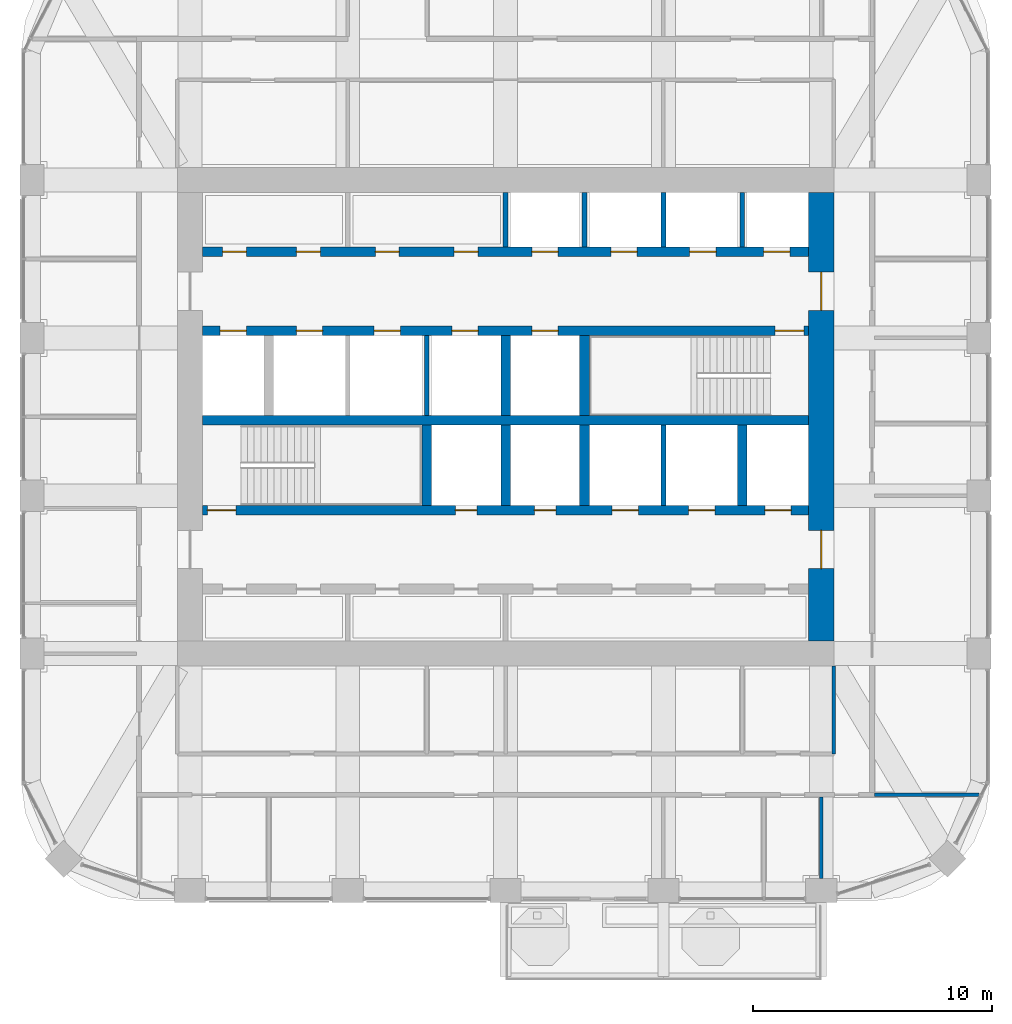
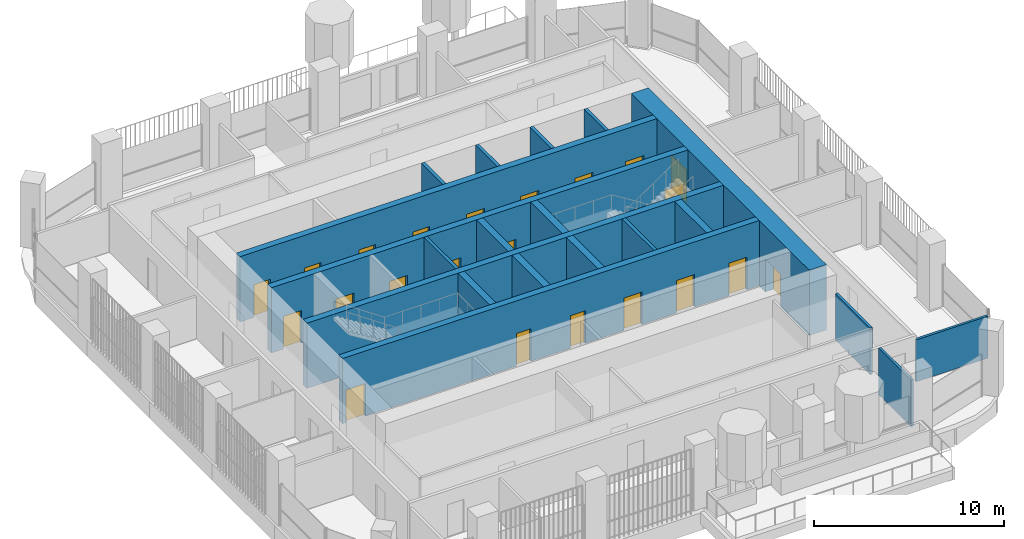
# One storey, part 15 of 20: 22 doors, 20 walls, 22 openings.
"""IFC4 building model written with IfcOpenShell, lengths in metres."""

from ifc_helpers import new_model, si_unit, direction, frame, frame_2d, origin, place, context, subcontext, project, spatial, rectangle, extrude, material, layer, layer_set, type_object, element, fill, save


model = new_model("IFC4")

# Units and contexts
model_context = context("Model", 3, precision=1e-05, world=origin(), true_north=direction((0.0, 1.0)))
body_context = subcontext(model_context, "Body", "Model", "MODEL_VIEW")
ifc_project = project(units=[si_unit("LENGTHUNIT", "METRE"), si_unit("AREAUNIT", "SQUARE_METRE"), si_unit("VOLUMEUNIT", "CUBIC_METRE"), si_unit("PLANEANGLEUNIT", "RADIAN"), si_unit("MASSUNIT", "GRAM", prefix="KILO")], contexts=[model_context])

# Site, building, storey
site_placement = place(None, origin())
site = spatial("IfcSite", under=ifc_project, at=site_placement, CompositionType="ELEMENT")
building_placement = place(site_placement, origin())
building = spatial("IfcBuilding", under=site, at=building_placement, Name="Cobogo Forest Laboratory Tower", CompositionType="ELEMENT")
storey_placement = place(building_placement, frame((0.0, 0.0, 233.39990234375)))
storey = spatial("IfcBuildingStorey", under=building, at=storey_placement, Name="L53", CompositionType="ELEMENT", Elevation=233.39990234375)

# Wall, openings, doors
ifc_material_1 = material(Name="Concrete HA-50 (C50/60)", Category="concrete")
ifc_layer_1 = layer(ifc_material_1, 0.39990234375)
ifc_layer_set_1 = layer_set([ifc_layer_1], Name="CI400 core inner wall 400")
wall_type_1 = type_object("IfcWallType", Name="CI400 core inner wall 400", PredefinedType="SHEAR", material=ifc_layer_set_1)
wall_1_placement = place(storey_placement, frame((13.72509765625, 19.199951171875, 0.0), z_axis=(0.0, 0.0, 1.0), x_axis=(1.0, 0.0, 0.0)))
wall_1 = element("IfcWall", 1, at=wall_1_placement, inside=storey, type_object=wall_type_1, Name="Core wall CI-19.2 L53", PredefinedType="SHEAR", context=body_context, shape_type="SweptSolid", body=[
    extrude(rectangle(XDim=25.349853515625, YDim=0.39990234375, at=frame_2d((12.6748046875, 0.0))), origin(), (0.0, 0.0, 1.0), 4.2001953125),
])
opening_1_placement = place(wall_1_placement, frame((10.574951171875, 0.0, 0.0)))
opening_1 = element("IfcOpeningElement", 2, at=opening_1_placement, cuts=wall_1, Name="Opening L53-D26", PredefinedType="OPENING", context=body_context, shape_type="SweptSolid", body=[
    extrude(rectangle(XDim=0.89990234375, YDim=2.10009765625, at=frame_2d((0.449951171875, 1.050048828125))), frame((0.0, 0.2099609375, 0.0), z_axis=(0.0, -1.0, 0.0), x_axis=(1.0, 0.0, 0.0)), (0.0, 0.0, 1.0), 0.419921875),
])
opening_2_placement = place(wall_1_placement, frame((13.875, 0.0, 0.0)))
opening_2 = element("IfcOpeningElement", 3, at=opening_2_placement, cuts=wall_1, Name="Opening L53-D27", PredefinedType="OPENING", context=body_context, shape_type="SweptSolid", body=[
    extrude(rectangle(XDim=0.89990234375, YDim=2.10009765625, at=frame_2d((0.449951171875, 1.050048828125))), frame((0.0, 0.2099609375, 0.0), z_axis=(0.0, -1.0, 0.0), x_axis=(1.0, 0.0, 0.0)), (0.0, 0.0, 1.0), 0.419921875),
])
opening_3_placement = place(wall_1_placement, frame((0.199951171875, 0.0, 0.0)))
opening_3 = element("IfcOpeningElement", 4, at=opening_3_placement, cuts=wall_1, Name="Opening L53-D25", PredefinedType="OPENING", context=body_context, shape_type="SweptSolid", body=[
    extrude(rectangle(XDim=1.199951171875, YDim=2.10009765625, at=frame_2d((0.60009765625, 1.050048828125))), frame((0.0, 0.2099609375, 0.0), z_axis=(0.0, -1.0, 0.0), x_axis=(1.0, 0.0, 0.0)), (0.0, 0.0, 1.0), 0.419921875),
])
opening_4_placement = place(wall_1_placement, frame((23.512451171875, 0.0, 0.0)))
opening_4 = element("IfcOpeningElement", 5, at=opening_4_placement, cuts=wall_1, Name="Opening L53-LD-FL2", PredefinedType="OPENING", context=body_context, shape_type="SweptSolid", body=[
    extrude(rectangle(XDim=1.10009765625, YDim=2.10009765625, at=frame_2d((0.550048828125, 1.050048828125))), frame((0.0, 0.2099609375, 0.0), z_axis=(0.0, -1.0, 0.0), x_axis=(1.0, 0.0, 0.0)), (0.0, 0.0, 1.0), 0.419921875),
])
opening_5_placement = place(wall_1_placement, frame((17.125, 0.0, 0.0)))
opening_5 = element("IfcOpeningElement", 6, at=opening_5_placement, cuts=wall_1, Name="Opening L53-LD-LS1", PredefinedType="OPENING", context=body_context, shape_type="SweptSolid", body=[
    extrude(rectangle(XDim=1.10009765625, YDim=2.10009765625, at=frame_2d((0.550048828125, 1.050048828125))), frame((0.0, 0.2099609375, 0.0), z_axis=(0.0, -1.0, 0.0), x_axis=(1.0, 0.0, 0.0)), (0.0, 0.0, 1.0), 0.419921875),
])
opening_6_placement = place(wall_1_placement, frame((20.324951171875, 0.0, 0.0)))
opening_6 = element("IfcOpeningElement", 7, at=opening_6_placement, cuts=wall_1, Name="Opening L53-LD-LS2", PredefinedType="OPENING", context=body_context, shape_type="SweptSolid", body=[
    extrude(rectangle(XDim=1.10009765625, YDim=2.10009765625, at=frame_2d((0.550048828125, 1.050048828125))), frame((0.0, 0.2099609375, 0.0), z_axis=(0.0, -1.0, 0.0), x_axis=(1.0, 0.0, 0.0)), (0.0, 0.0, 1.0), 0.419921875),
])
ifc_material_2 = material(Name="Steel fire door", Category="steel")
door_type_1 = type_object("IfcDoorType", Name="DS1 protected stair door 1200 EI2 60", OperationType="SINGLE_SWING_LEFT", PredefinedType="DOOR", material=ifc_material_2)
door_1_placement = place(opening_3_placement, origin())
door_1 = element("IfcDoor", 8, at=door_1_placement, inside=storey, type_object=door_type_1, Name="Door L53-ST1", OperationType="SINGLE_SWING_LEFT", OverallHeight=2.10009765625, OverallWidth=1.199951171875, PredefinedType="DOOR", context=body_context, shape_type="SweptSolid", body=[
    extrude(rectangle(XDim=1.199951171875, YDim=2.10009765625, at=frame_2d((0.60009765625, 1.050048828125))), frame((0.0, 0.02490234375, 0.0), z_axis=(0.0, -1.0, 0.0), x_axis=(1.0, 0.0, 0.0)), (0.0, 0.0, 1.0), 0.050048828125),
])
fill(opening_3, door_1)
door_type_2 = type_object("IfcDoorType", Name="FD4 riser access door 900 EI2 60", OperationType="SINGLE_SWING_LEFT", PredefinedType="DOOR", material=ifc_material_2)
door_2_placement = place(opening_1_placement, origin())
door_2 = element("IfcDoor", 9, at=door_2_placement, inside=storey, type_object=door_type_2, Name="Door L53-R1", OperationType="SINGLE_SWING_LEFT", OverallHeight=2.10009765625, OverallWidth=0.89990234375, PredefinedType="DOOR", context=body_context, shape_type="SweptSolid", body=[
    extrude(rectangle(XDim=0.89990234375, YDim=2.10009765625, at=frame_2d((0.449951171875, 1.050048828125))), frame((0.0, 0.02490234375, 0.0), z_axis=(0.0, -1.0, 0.0), x_axis=(1.0, 0.0, 0.0)), (0.0, 0.0, 1.0), 0.050048828125),
])
fill(opening_1, door_2)
door_3_placement = place(opening_2_placement, origin())
door_3 = element("IfcDoor", 10, at=door_3_placement, inside=storey, type_object=door_type_2, Name="Door L53-R2", OperationType="SINGLE_SWING_RIGHT", OverallHeight=2.10009765625, OverallWidth=0.89990234375, PredefinedType="DOOR", context=body_context, shape_type="SweptSolid", body=[
    extrude(rectangle(XDim=0.89990234375, YDim=2.10009765625, at=frame_2d((0.449951171875, 1.050048828125))), frame((0.0, 0.02490234375, 0.0), z_axis=(0.0, -1.0, 0.0), x_axis=(1.0, 0.0, 0.0)), (0.0, 0.0, 1.0), 0.050048828125),
])
fill(opening_2, door_3)
ifc_material_3 = material(Name="Stainless steel lift door", Category="steel")
door_type_3 = type_object("IfcDoorType", Name="LD lift landing door 1100", OperationType="DOUBLE_DOOR_SLIDING", PredefinedType="DOOR", material=ifc_material_3)
door_4_placement = place(opening_4_placement, origin())
door_4 = element("IfcDoor", 11, at=door_4_placement, inside=storey, type_object=door_type_3, Name="Lift landing door FL2 L53", OperationType="DOUBLE_DOOR_SLIDING", OverallHeight=2.10009765625, OverallWidth=1.10009765625, PredefinedType="DOOR", context=body_context, shape_type="SweptSolid", body=[
    extrude(rectangle(XDim=1.10009765625, YDim=2.10009765625, at=frame_2d((0.550048828125, 1.050048828125))), frame((0.0, 0.02490234375, 0.0), z_axis=(0.0, -1.0, 0.0), x_axis=(1.0, 0.0, 0.0)), (0.0, 0.0, 1.0), 0.050048828125),
])
fill(opening_4, door_4)
door_5_placement = place(opening_5_placement, origin())
door_5 = element("IfcDoor", 12, at=door_5_placement, inside=storey, type_object=door_type_3, Name="Lift landing door LS1 L53", OperationType="DOUBLE_DOOR_SLIDING", OverallHeight=2.10009765625, OverallWidth=1.10009765625, PredefinedType="DOOR", context=body_context, shape_type="SweptSolid", body=[
    extrude(rectangle(XDim=1.10009765625, YDim=2.10009765625, at=frame_2d((0.550048828125, 1.050048828125))), frame((0.0, 0.02490234375, 0.0), z_axis=(0.0, -1.0, 0.0), x_axis=(1.0, 0.0, 0.0)), (0.0, 0.0, 1.0), 0.050048828125),
])
fill(opening_5, door_5)
door_6_placement = place(opening_6_placement, origin())
door_6 = element("IfcDoor", 13, at=door_6_placement, inside=storey, type_object=door_type_3, Name="Lift landing door LS2 L53", OperationType="DOUBLE_DOOR_SLIDING", OverallHeight=2.10009765625, OverallWidth=1.10009765625, PredefinedType="DOOR", context=body_context, shape_type="SweptSolid", body=[
    extrude(rectangle(XDim=1.10009765625, YDim=2.10009765625, at=frame_2d((0.550048828125, 1.050048828125))), frame((0.0, 0.02490234375, 0.0), z_axis=(0.0, -1.0, 0.0), x_axis=(1.0, 0.0, 0.0)), (0.0, 0.0, 1.0), 0.050048828125),
])
fill(opening_6, door_6)

# Wall
wall_2_placement = place(storey_placement, frame((13.72509765625, 22.949951171875, 0.0), z_axis=(0.0, 0.0, 1.0), x_axis=(1.0, 0.0, 0.0)))
element("IfcWall", 14, at=wall_2_placement, inside=storey, type_object=wall_type_1, Name="Core wall CI-22.95 L53", PredefinedType="SHEAR", context=body_context, shape_type="SweptSolid", body=[
    extrude(rectangle(XDim=25.349853515625, YDim=0.39990234375, at=frame_2d((12.6748046875, 0.0))), origin(), (0.0, 0.0, 1.0), 4.2001953125),
])

# Wall, openings, doors
wall_3_placement = place(storey_placement, frame((13.72509765625, 26.699951171875, 0.0), z_axis=(0.0, 0.0, 1.0), x_axis=(1.0, 0.0, 0.0)))
wall_3 = element("IfcWall", 15, at=wall_3_placement, inside=storey, type_object=wall_type_1, Name="Core wall CI-26.7 L53", PredefinedType="SHEAR", context=body_context, shape_type="SweptSolid", body=[
    extrude(rectangle(XDim=25.349853515625, YDim=0.39990234375, at=frame_2d((12.6748046875, 0.0))), origin(), (0.0, 0.0, 1.0), 4.2001953125),
])
opening_7_placement = place(wall_3_placement, frame((23.949951171875, 0.0, 0.0)))
opening_7 = element("IfcOpeningElement", 16, at=opening_7_placement, cuts=wall_3, Name="Opening L53-D32", PredefinedType="OPENING", context=body_context, shape_type="SweptSolid", body=[
    extrude(rectangle(XDim=1.199951171875, YDim=2.10009765625, at=frame_2d((0.60009765625, 1.050048828125))), frame((0.0, 0.2099609375, 0.0), z_axis=(0.0, -1.0, 0.0), x_axis=(1.0, 0.0, 0.0)), (0.0, 0.0, 1.0), 0.419921875),
])
opening_8_placement = place(wall_3_placement, frame((0.737548828125, 0.0, 0.0)))
opening_8 = element("IfcOpeningElement", 17, at=opening_8_placement, cuts=wall_3, Name="Opening L53-LD-FL1", PredefinedType="OPENING", context=body_context, shape_type="SweptSolid", body=[
    extrude(rectangle(XDim=1.10009765625, YDim=2.10009765625, at=frame_2d((0.550048828125, 1.050048828125))), frame((0.0, 0.2099609375, 0.0), z_axis=(0.0, -1.0, 0.0), x_axis=(1.0, 0.0, 0.0)), (0.0, 0.0, 1.0), 0.419921875),
])
opening_9_placement = place(wall_3_placement, frame((3.925048828125, 0.0, 0.0)))
opening_9 = element("IfcOpeningElement", 18, at=opening_9_placement, cuts=wall_3, Name="Opening L53-LD-LS3", PredefinedType="OPENING", context=body_context, shape_type="SweptSolid", body=[
    extrude(rectangle(XDim=1.10009765625, YDim=2.10009765625, at=frame_2d((0.550048828125, 1.050048828125))), frame((0.0, 0.2099609375, 0.0), z_axis=(0.0, -1.0, 0.0), x_axis=(1.0, 0.0, 0.0)), (0.0, 0.0, 1.0), 0.419921875),
])
opening_10_placement = place(wall_3_placement, frame((7.175048828125, 0.0, 0.0)))
opening_10 = element("IfcOpeningElement", 19, at=opening_10_placement, cuts=wall_3, Name="Opening L53-LD-LS4", PredefinedType="OPENING", context=body_context, shape_type="SweptSolid", body=[
    extrude(rectangle(XDim=1.10009765625, YDim=2.10009765625, at=frame_2d((0.550048828125, 1.050048828125))), frame((0.0, 0.2099609375, 0.0), z_axis=(0.0, -1.0, 0.0), x_axis=(1.0, 0.0, 0.0)), (0.0, 0.0, 1.0), 0.419921875),
])
opening_11_placement = place(wall_3_placement, frame((10.425048828125, 0.0, 0.0)))
opening_11 = element("IfcOpeningElement", 20, at=opening_11_placement, cuts=wall_3, Name="Opening L53-LD-LS5", PredefinedType="OPENING", context=body_context, shape_type="SweptSolid", body=[
    extrude(rectangle(XDim=1.10009765625, YDim=2.10009765625, at=frame_2d((0.550048828125, 1.050048828125))), frame((0.0, 0.2099609375, 0.0), z_axis=(0.0, -1.0, 0.0), x_axis=(1.0, 0.0, 0.0)), (0.0, 0.0, 1.0), 0.419921875),
])
opening_12_placement = place(wall_3_placement, frame((13.77490234375, 0.0, 0.0)))
opening_12 = element("IfcOpeningElement", 21, at=opening_12_placement, cuts=wall_3, Name="Opening L53-LD-LS6", PredefinedType="OPENING", context=body_context, shape_type="SweptSolid", body=[
    extrude(rectangle(XDim=1.10009765625, YDim=2.10009765625, at=frame_2d((0.550048828125, 1.050048828125))), frame((0.0, 0.2099609375, 0.0), z_axis=(0.0, -1.0, 0.0), x_axis=(1.0, 0.0, 0.0)), (0.0, 0.0, 1.0), 0.419921875),
])
door_7_placement = place(opening_7_placement, origin())
door_7 = element("IfcDoor", 22, at=door_7_placement, inside=storey, type_object=door_type_1, Name="Door L53-ST2", OperationType="SINGLE_SWING_RIGHT", OverallHeight=2.10009765625, OverallWidth=1.199951171875, PredefinedType="DOOR", context=body_context, shape_type="SweptSolid", body=[
    extrude(rectangle(XDim=1.199951171875, YDim=2.10009765625, at=frame_2d((0.60009765625, 1.050048828125))), frame((0.0, 0.02490234375, 0.0), z_axis=(0.0, -1.0, 0.0), x_axis=(1.0, 0.0, 0.0)), (0.0, 0.0, 1.0), 0.050048828125),
])
fill(opening_7, door_7)
door_8_placement = place(opening_8_placement, origin())
door_8 = element("IfcDoor", 23, at=door_8_placement, inside=storey, type_object=door_type_3, Name="Lift landing door FL1 L53", OperationType="DOUBLE_DOOR_SLIDING", OverallHeight=2.10009765625, OverallWidth=1.10009765625, PredefinedType="DOOR", context=body_context, shape_type="SweptSolid", body=[
    extrude(rectangle(XDim=1.10009765625, YDim=2.10009765625, at=frame_2d((0.550048828125, 1.050048828125))), frame((0.0, 0.02490234375, 0.0), z_axis=(0.0, -1.0, 0.0), x_axis=(1.0, 0.0, 0.0)), (0.0, 0.0, 1.0), 0.050048828125),
])
fill(opening_8, door_8)
door_9_placement = place(opening_9_placement, origin())
door_9 = element("IfcDoor", 24, at=door_9_placement, inside=storey, type_object=door_type_3, Name="Lift landing door LS3 L53", OperationType="DOUBLE_DOOR_SLIDING", OverallHeight=2.10009765625, OverallWidth=1.10009765625, PredefinedType="DOOR", context=body_context, shape_type="SweptSolid", body=[
    extrude(rectangle(XDim=1.10009765625, YDim=2.10009765625, at=frame_2d((0.550048828125, 1.050048828125))), frame((0.0, 0.02490234375, 0.0), z_axis=(0.0, -1.0, 0.0), x_axis=(1.0, 0.0, 0.0)), (0.0, 0.0, 1.0), 0.050048828125),
])
fill(opening_9, door_9)
door_10_placement = place(opening_10_placement, origin())
door_10 = element("IfcDoor", 25, at=door_10_placement, inside=storey, type_object=door_type_3, Name="Lift landing door LS4 L53", OperationType="DOUBLE_DOOR_SLIDING", OverallHeight=2.10009765625, OverallWidth=1.10009765625, PredefinedType="DOOR", context=body_context, shape_type="SweptSolid", body=[
    extrude(rectangle(XDim=1.10009765625, YDim=2.10009765625, at=frame_2d((0.550048828125, 1.050048828125))), frame((0.0, 0.02490234375, 0.0), z_axis=(0.0, -1.0, 0.0), x_axis=(1.0, 0.0, 0.0)), (0.0, 0.0, 1.0), 0.050048828125),
])
fill(opening_10, door_10)
door_11_placement = place(opening_11_placement, origin())
door_11 = element("IfcDoor", 26, at=door_11_placement, inside=storey, type_object=door_type_3, Name="Lift landing door LS5 L53", OperationType="DOUBLE_DOOR_SLIDING", OverallHeight=2.10009765625, OverallWidth=1.10009765625, PredefinedType="DOOR", context=body_context, shape_type="SweptSolid", body=[
    extrude(rectangle(XDim=1.10009765625, YDim=2.10009765625, at=frame_2d((0.550048828125, 1.050048828125))), frame((0.0, 0.02490234375, 0.0), z_axis=(0.0, -1.0, 0.0), x_axis=(1.0, 0.0, 0.0)), (0.0, 0.0, 1.0), 0.050048828125),
])
fill(opening_11, door_11)
door_12_placement = place(opening_12_placement, origin())
door_12 = element("IfcDoor", 27, at=door_12_placement, inside=storey, type_object=door_type_3, Name="Lift landing door LS6 L53", OperationType="DOUBLE_DOOR_SLIDING", OverallHeight=2.10009765625, OverallWidth=1.10009765625, PredefinedType="DOOR", context=body_context, shape_type="SweptSolid", body=[
    extrude(rectangle(XDim=1.10009765625, YDim=2.10009765625, at=frame_2d((0.550048828125, 1.050048828125))), frame((0.0, 0.02490234375, 0.0), z_axis=(0.0, -1.0, 0.0), x_axis=(1.0, 0.0, 0.0)), (0.0, 0.0, 1.0), 0.050048828125),
])
fill(opening_12, door_12)

wall_4_placement = place(storey_placement, frame((13.72509765625, 30.0, 0.0), z_axis=(0.0, 0.0, 1.0), x_axis=(1.0, 0.0, 0.0)))
wall_4 = element("IfcWall", 28, at=wall_4_placement, inside=storey, type_object=wall_type_1, Name="Core wall CI-30.0 L53", PredefinedType="SHEAR", context=body_context, shape_type="SweptSolid", body=[
    extrude(rectangle(XDim=25.349853515625, YDim=0.39990234375, at=frame_2d((12.6748046875, 0.0))), origin(), (0.0, 0.0, 1.0), 4.2001953125),
])
opening_13_placement = place(wall_4_placement, frame((0.83740234375, 0.0, 0.0)))
opening_13 = element("IfcOpeningElement", 29, at=opening_13_placement, cuts=wall_4, Name="Opening L53-D36", PredefinedType="OPENING", context=body_context, shape_type="SweptSolid", body=[
    extrude(rectangle(XDim=1.0, YDim=2.10009765625, at=frame_2d((0.5, 1.050048828125))), frame((0.0, 0.2099609375, 0.0), z_axis=(0.0, -1.0, 0.0), x_axis=(1.0, 0.0, 0.0)), (0.0, 0.0, 1.0), 0.419921875),
])
opening_14_placement = place(wall_4_placement, frame((3.925048828125, 0.0, 0.0)))
opening_14 = element("IfcOpeningElement", 30, at=opening_14_placement, cuts=wall_4, Name="Opening L53-D37", PredefinedType="OPENING", context=body_context, shape_type="SweptSolid", body=[
    extrude(rectangle(XDim=1.0, YDim=2.10009765625, at=frame_2d((0.5, 1.050048828125))), frame((0.0, 0.2099609375, 0.0), z_axis=(0.0, -1.0, 0.0), x_axis=(1.0, 0.0, 0.0)), (0.0, 0.0, 1.0), 0.419921875),
])
opening_15_placement = place(wall_4_placement, frame((7.22509765625, 0.0, 0.0)))
opening_15 = element("IfcOpeningElement", 31, at=opening_15_placement, cuts=wall_4, Name="Opening L53-D38", PredefinedType="OPENING", context=body_context, shape_type="SweptSolid", body=[
    extrude(rectangle(XDim=1.0, YDim=2.10009765625, at=frame_2d((0.5, 1.050048828125))), frame((0.0, 0.2099609375, 0.0), z_axis=(0.0, -1.0, 0.0), x_axis=(1.0, 0.0, 0.0)), (0.0, 0.0, 1.0), 0.419921875),
])
opening_16_placement = place(wall_4_placement, frame((10.52490234375, 0.0, 0.0)))
opening_16 = element("IfcOpeningElement", 32, at=opening_16_placement, cuts=wall_4, Name="Opening L53-D39", PredefinedType="OPENING", context=body_context, shape_type="SweptSolid", body=[
    extrude(rectangle(XDim=1.0, YDim=2.10009765625, at=frame_2d((0.5, 1.050048828125))), frame((0.0, 0.2099609375, 0.0), z_axis=(0.0, -1.0, 0.0), x_axis=(1.0, 0.0, 0.0)), (0.0, 0.0, 1.0), 0.419921875),
])
opening_17_placement = place(wall_4_placement, frame((13.77490234375, 0.0, 0.0)))
opening_17 = element("IfcOpeningElement", 33, at=opening_17_placement, cuts=wall_4, Name="Opening L53-LD-LD1", PredefinedType="OPENING", context=body_context, shape_type="SweptSolid", body=[
    extrude(rectangle(XDim=1.10009765625, YDim=2.10009765625, at=frame_2d((0.550048828125, 1.050048828125))), frame((0.0, 0.2099609375, 0.0), z_axis=(0.0, -1.0, 0.0), x_axis=(1.0, 0.0, 0.0)), (0.0, 0.0, 1.0), 0.419921875),
])
opening_18_placement = place(wall_4_placement, frame((17.074951171875, 0.0, 0.0)))
opening_18 = element("IfcOpeningElement", 34, at=opening_18_placement, cuts=wall_4, Name="Opening L53-LD-LD2", PredefinedType="OPENING", context=body_context, shape_type="SweptSolid", body=[
    extrude(rectangle(XDim=1.10009765625, YDim=2.10009765625, at=frame_2d((0.550048828125, 1.050048828125))), frame((0.0, 0.2099609375, 0.0), z_axis=(0.0, -1.0, 0.0), x_axis=(1.0, 0.0, 0.0)), (0.0, 0.0, 1.0), 0.419921875),
])
opening_19_placement = place(wall_4_placement, frame((20.375, 0.0, 0.0)))
opening_19 = element("IfcOpeningElement", 35, at=opening_19_placement, cuts=wall_4, Name="Opening L53-LD-LD3", PredefinedType="OPENING", context=body_context, shape_type="SweptSolid", body=[
    extrude(rectangle(XDim=1.10009765625, YDim=2.10009765625, at=frame_2d((0.550048828125, 1.050048828125))), frame((0.0, 0.2099609375, 0.0), z_axis=(0.0, -1.0, 0.0), x_axis=(1.0, 0.0, 0.0)), (0.0, 0.0, 1.0), 0.419921875),
])
opening_20_placement = place(wall_4_placement, frame((23.46240234375, 0.0, 0.0)))
opening_20 = element("IfcOpeningElement", 36, at=opening_20_placement, cuts=wall_4, Name="Opening L53-LD-LD4", PredefinedType="OPENING", context=body_context, shape_type="SweptSolid", body=[
    extrude(rectangle(XDim=1.10009765625, YDim=2.10009765625, at=frame_2d((0.550048828125, 1.050048828125))), frame((0.0, 0.2099609375, 0.0), z_axis=(0.0, -1.0, 0.0), x_axis=(1.0, 0.0, 0.0)), (0.0, 0.0, 1.0), 0.419921875),
])
door_type_4 = type_object("IfcDoorType", Name="FD1 fire door 1000 EI2 60", OperationType="SINGLE_SWING_LEFT", PredefinedType="DOOR", material=ifc_material_2)
door_13_placement = place(opening_13_placement, origin())
door_13 = element("IfcDoor", 37, at=door_13_placement, inside=storey, type_object=door_type_4, Name="Door L53-SH-LC1", OperationType="SINGLE_SWING_LEFT", OverallHeight=2.10009765625, OverallWidth=1.0, PredefinedType="DOOR", context=body_context, shape_type="SweptSolid", body=[
    extrude(rectangle(XDim=1.0, YDim=2.10009765625, at=frame_2d((0.5, 1.050048828125))), frame((0.0, 0.02490234375, 0.0), z_axis=(0.0, -1.0, 0.0), x_axis=(1.0, 0.0, 0.0)), (0.0, 0.0, 1.0), 0.050048828125),
])
fill(opening_13, door_13)
door_14_placement = place(opening_14_placement, origin())
door_14 = element("IfcDoor", 38, at=door_14_placement, inside=storey, type_object=door_type_4, Name="Door L53-SH-LC2", OperationType="SINGLE_SWING_LEFT", OverallHeight=2.10009765625, OverallWidth=1.0, PredefinedType="DOOR", context=body_context, shape_type="SweptSolid", body=[
    extrude(rectangle(XDim=1.0, YDim=2.10009765625, at=frame_2d((0.5, 1.050048828125))), frame((0.0, 0.02490234375, 0.0), z_axis=(0.0, -1.0, 0.0), x_axis=(1.0, 0.0, 0.0)), (0.0, 0.0, 1.0), 0.050048828125),
])
fill(opening_14, door_14)
door_15_placement = place(opening_15_placement, origin())
door_15 = element("IfcDoor", 39, at=door_15_placement, inside=storey, type_object=door_type_4, Name="Door L53-SH-LC3", OperationType="SINGLE_SWING_LEFT", OverallHeight=2.10009765625, OverallWidth=1.0, PredefinedType="DOOR", context=body_context, shape_type="SweptSolid", body=[
    extrude(rectangle(XDim=1.0, YDim=2.10009765625, at=frame_2d((0.5, 1.050048828125))), frame((0.0, 0.02490234375, 0.0), z_axis=(0.0, -1.0, 0.0), x_axis=(1.0, 0.0, 0.0)), (0.0, 0.0, 1.0), 0.050048828125),
])
fill(opening_15, door_15)
door_16_placement = place(opening_16_placement, origin())
door_16 = element("IfcDoor", 40, at=door_16_placement, inside=storey, type_object=door_type_4, Name="Door L53-SH-LC4", OperationType="SINGLE_SWING_LEFT", OverallHeight=2.10009765625, OverallWidth=1.0, PredefinedType="DOOR", context=body_context, shape_type="SweptSolid", body=[
    extrude(rectangle(XDim=1.0, YDim=2.10009765625, at=frame_2d((0.5, 1.050048828125))), frame((0.0, 0.02490234375, 0.0), z_axis=(0.0, -1.0, 0.0), x_axis=(1.0, 0.0, 0.0)), (0.0, 0.0, 1.0), 0.050048828125),
])
fill(opening_16, door_16)
door_17_placement = place(opening_17_placement, origin())
door_17 = element("IfcDoor", 41, at=door_17_placement, inside=storey, type_object=door_type_3, Name="Lift landing door LD1 L53", OperationType="DOUBLE_DOOR_SLIDING", OverallHeight=2.10009765625, OverallWidth=1.10009765625, PredefinedType="DOOR", context=body_context, shape_type="SweptSolid", body=[
    extrude(rectangle(XDim=1.10009765625, YDim=2.10009765625, at=frame_2d((0.550048828125, 1.050048828125))), frame((0.0, 0.02490234375, 0.0), z_axis=(0.0, -1.0, 0.0), x_axis=(1.0, 0.0, 0.0)), (0.0, 0.0, 1.0), 0.050048828125),
])
fill(opening_17, door_17)
door_18_placement = place(opening_18_placement, origin())
door_18 = element("IfcDoor", 42, at=door_18_placement, inside=storey, type_object=door_type_3, Name="Lift landing door LD2 L53", OperationType="DOUBLE_DOOR_SLIDING", OverallHeight=2.10009765625, OverallWidth=1.10009765625, PredefinedType="DOOR", context=body_context, shape_type="SweptSolid", body=[
    extrude(rectangle(XDim=1.10009765625, YDim=2.10009765625, at=frame_2d((0.550048828125, 1.050048828125))), frame((0.0, 0.02490234375, 0.0), z_axis=(0.0, -1.0, 0.0), x_axis=(1.0, 0.0, 0.0)), (0.0, 0.0, 1.0), 0.050048828125),
])
fill(opening_18, door_18)
door_19_placement = place(opening_19_placement, origin())
door_19 = element("IfcDoor", 43, at=door_19_placement, inside=storey, type_object=door_type_3, Name="Lift landing door LD3 L53", OperationType="DOUBLE_DOOR_SLIDING", OverallHeight=2.10009765625, OverallWidth=1.10009765625, PredefinedType="DOOR", context=body_context, shape_type="SweptSolid", body=[
    extrude(rectangle(XDim=1.10009765625, YDim=2.10009765625, at=frame_2d((0.550048828125, 1.050048828125))), frame((0.0, 0.02490234375, 0.0), z_axis=(0.0, -1.0, 0.0), x_axis=(1.0, 0.0, 0.0)), (0.0, 0.0, 1.0), 0.050048828125),
])
fill(opening_19, door_19)
door_20_placement = place(opening_20_placement, origin())
door_20 = element("IfcDoor", 44, at=door_20_placement, inside=storey, type_object=door_type_3, Name="Lift landing door LD4 L53", OperationType="DOUBLE_DOOR_SLIDING", OverallHeight=2.10009765625, OverallWidth=1.10009765625, PredefinedType="DOOR", context=body_context, shape_type="SweptSolid", body=[
    extrude(rectangle(XDim=1.10009765625, YDim=2.10009765625, at=frame_2d((0.550048828125, 1.050048828125))), frame((0.0, 0.02490234375, 0.0), z_axis=(0.0, -1.0, 0.0), x_axis=(1.0, 0.0, 0.0)), (0.0, 0.0, 1.0), 0.050048828125),
])
fill(opening_20, door_20)

# Walls
for number, where, z_axis, x_axis, name in (
    (45, (23.10009765625, 19.39990234375, 0.0), (0.0, 0.0, 1.0), (0.0, 1.0, 0.0), "Core wall CX-23.1 L53"),
    (46, (26.39990234375, 19.39990234375, 0.0), (0.0, 0.0, 1.0), (0.0, 1.0, 0.0), "Core wall CX-26.4S L53"),
    (47, (29.699951171875, 19.39990234375, 0.0), (0.0, 0.0, 1.0), (0.0, 1.0, 0.0), "Core wall CX-29.7S L53"),
    (48, (36.300048828125, 19.39990234375, 0.0), (0.0, 0.0, 1.0), (0.0, 1.0, 0.0), "Core wall CX-36.3 L53"),
    (49, (26.39990234375, 23.14990234375, 0.0), (0.0, 0.0, 1.0), (0.0, 1.0, 0.0), "Core wall CX-26.4N L53"),
    (50, (29.699951171875, 23.14990234375, 0.0), (0.0, 0.0, 1.0), (0.0, 1.0, 0.0), "Core wall CX-29.7N L53"),
):
    element("IfcWall", number, at=place(storey_placement, frame(where, z_axis=z_axis, x_axis=x_axis)), inside=storey, type_object=wall_type_1, Name=name, PredefinedType="SHEAR", context=body_context, shape_type="SweptSolid", body=[
        extrude(rectangle(XDim=3.35009765625, YDim=0.39990234375, at=frame_2d((1.675048828125, 0.0))), origin(), (0.0, 0.0, 1.0), 4.2001953125),
    ])

# Wall, openings, doors
ifc_layer_2 = layer(ifc_material_1, 1.050048828125)
ifc_layer_set_2 = layer_set([ifc_layer_2], Name="CW1050 core outer wall 1050")
wall_type_2 = type_object("IfcWallType", Name="CW1050 core outer wall 1050", PredefinedType="SHEAR", material=ifc_layer_set_2)
wall_5_placement = place(storey_placement, frame((39.60009765625, 13.72509765625, 0.0), z_axis=(0.0, 0.0, 1.0), x_axis=(0.0, 1.0, 0.0)))
wall_5 = element("IfcWall", 51, at=wall_5_placement, inside=storey, type_object=wall_type_2, Name="Core wall CO-E L53", PredefinedType="SHEAR", context=body_context, shape_type="SweptSolid", body=[
    extrude(rectangle(XDim=18.75, YDim=1.050048828125, at=frame_2d((9.375, 0.0))), origin(), (0.0, 0.0, 1.0), 4.2001953125),
])
opening_21_placement = place(wall_5_placement, frame((3.02490234375, 0.0, 0.0)))
opening_21 = element("IfcOpeningElement", 52, at=opening_21_placement, cuts=wall_5, Name="Opening L53-D24", PredefinedType="OPENING", context=body_context, shape_type="SweptSolid", body=[
    extrude(rectangle(XDim=1.60009765625, YDim=2.10009765625, at=frame_2d((0.800048828125, 1.050048828125))), frame((0.0, 0.534912109375, 0.0), z_axis=(0.0, -1.0, 0.0), x_axis=(1.0, 0.0, 0.0)), (0.0, 0.0, 1.0), 1.070068359375),
])
opening_22_placement = place(wall_5_placement, frame((13.824951171875, 0.0, 0.0)))
opening_22 = element("IfcOpeningElement", 53, at=opening_22_placement, cuts=wall_5, Name="Opening L53-D35", PredefinedType="OPENING", context=body_context, shape_type="SweptSolid", body=[
    extrude(rectangle(XDim=1.60009765625, YDim=2.10009765625, at=frame_2d((0.800048828125, 1.050048828125))), frame((0.0, 0.534912109375, 0.0), z_axis=(0.0, -1.0, 0.0), x_axis=(1.0, 0.0, 0.0)), (0.0, 0.0, 1.0), 1.070068359375),
])
door_type_5 = type_object("IfcDoorType", Name="DS2 protected lobby door pair 1600 EI2 60", OperationType="DOUBLE_DOOR_DOUBLE_SWING", PredefinedType="DOOR", material=ifc_material_2)
door_21_placement = place(opening_21_placement, origin())
door_21 = element("IfcDoor", 54, at=door_21_placement, inside=storey, type_object=door_type_5, Name="Door L53-CO-E-S", OperationType="DOUBLE_DOOR_DOUBLE_SWING", OverallHeight=2.10009765625, OverallWidth=1.60009765625, PredefinedType="DOOR", context=body_context, shape_type="SweptSolid", body=[
    extrude(rectangle(XDim=1.60009765625, YDim=2.10009765625, at=frame_2d((0.800048828125, 1.050048828125))), frame((0.0, 0.02490234375, 0.0), z_axis=(0.0, -1.0, 0.0), x_axis=(1.0, 0.0, 0.0)), (0.0, 0.0, 1.0), 0.050048828125),
])
fill(opening_21, door_21)
door_22_placement = place(opening_22_placement, origin())
door_22 = element("IfcDoor", 55, at=door_22_placement, inside=storey, type_object=door_type_5, Name="Door L53-CO-E-N", OperationType="DOUBLE_DOOR_DOUBLE_SWING", OverallHeight=2.10009765625, OverallWidth=1.60009765625, PredefinedType="DOOR", context=body_context, shape_type="SweptSolid", body=[
    extrude(rectangle(XDim=1.60009765625, YDim=2.10009765625, at=frame_2d((0.800048828125, 1.050048828125))), frame((0.0, 0.02490234375, 0.0), z_axis=(0.0, -1.0, 0.0), x_axis=(1.0, 0.0, 0.0)), (0.0, 0.0, 1.0), 0.050048828125),
])
fill(opening_22, door_22)

# Walls
ifc_material_4 = material(Name="Gypsum board on steel studs", Category="steel")
ifc_layer_3 = layer(ifc_material_4, 0.14990234375)
ifc_layer_set_3 = layer_set([ifc_layer_3], Name="PT1 laboratory partition 150")
wall_type_3 = type_object("IfcWallType", Name="PT1 laboratory partition 150", PredefinedType="PARTITIONING", material=ifc_layer_set_3)
wall_6_placement = place(storey_placement, frame((40.125, 12.675048828125, 0.0), z_axis=(0.0, 0.0, 1.0), x_axis=(0.0, -1.0, 0.0)))
element("IfcWall", 56, at=wall_6_placement, inside=storey, type_object=wall_type_3, Name="Partition CSTRIP-SE L53", PredefinedType="PARTITIONING", context=body_context, shape_type="SweptSolid", body=[
    extrude(rectangle(XDim=3.675048828125, YDim=0.14990234375, at=frame_2d((1.83740234375, 0.0))), origin(), (0.0, 0.0, 1.0), 3.0),
])
wall_7_placement = place(storey_placement, frame((46.197509765625, 7.300048828125, 0.0), z_axis=(0.0, 0.0, 1.0), x_axis=(-1.0, 0.0, 0.0)))
element("IfcWall", 57, at=wall_7_placement, inside=storey, type_object=wall_type_3, Name="Partition PW-SE L53", PredefinedType="PARTITIONING", context=body_context, shape_type="SweptSolid", body=[
    extrude(rectangle(XDim=4.37255859375, YDim=0.14990234375, at=frame_2d((2.186279296875, 0.0))), origin(), (0.0, 0.0, 1.0), 2.7001953125),
])
wall_8_placement = place(storey_placement, frame((39.60009765625, 3.800048828125, 0.0), z_axis=(0.0, 0.0, 1.0), x_axis=(0.0, 1.0, 0.0)))
element("IfcWall", 58, at=wall_8_placement, inside=storey, type_object=wall_type_3, Name="Partition CUT-S39.6-1 L53", PredefinedType="PARTITIONING", context=body_context, shape_type="SweptSolid", body=[
    extrude(rectangle(XDim=3.39990234375, YDim=0.14990234375, at=frame_2d((1.699951171875, 0.0))), origin(), (0.0, 0.0, 1.0), 3.0),
])
ifc_material_5 = material(Name="Concrete block", Category="concrete")
ifc_layer_4 = layer(ifc_material_5, 0.199951171875)
ifc_layer_set_4 = layer_set([ifc_layer_4], Name="SW200 lift shaft separator 200")
wall_type_4 = type_object("IfcWallType", Name="SW200 lift shaft separator 200", PredefinedType="PARTITIONING", material=ifc_layer_set_4)
for number, where, z_axis, x_axis, name in (
    (59, (26.39990234375, 30.199951171875, 0.0), (0.0, 0.0, 1.0), (0.0, 1.0, 0.0), "Core wall SEP-N4 L53"),
    (60, (29.699951171875, 30.199951171875, 0.0), (0.0, 0.0, 1.0), (0.0, 1.0, 0.0), "Core wall SEP-N5 L53"),
    (61, (33.0, 30.199951171875, 0.0), (0.0, 0.0, 1.0), (0.0, 1.0, 0.0), "Core wall SEP-N6 L53"),
    (62, (36.300048828125, 30.199951171875, 0.0), (0.0, 0.0, 1.0), (0.0, 1.0, 0.0), "Core wall SEP-N7 L53"),
):
    element("IfcWall", number, at=place(storey_placement, frame(where, z_axis=z_axis, x_axis=x_axis)), inside=storey, type_object=wall_type_4, Name=name, PredefinedType="PARTITIONING", context=body_context, shape_type="SweptSolid", body=[
        extrude(rectangle(XDim=2.275146484375, YDim=0.199951171875, at=frame_2d((1.1376953125, 0.0))), origin(), (0.0, 0.0, 1.0), 4.2001953125),
    ])
for number, where, z_axis, x_axis, name in (
    (63, (33.0, 19.39990234375, 0.0), (0.0, 0.0, 1.0), (0.0, 1.0, 0.0), "Core wall SEP-M33.0 L53"),
    (64, (23.10009765625, 23.14990234375, 0.0), (0.0, 0.0, 1.0), (0.0, 1.0, 0.0), "Core wall SEP-M23.1 L53"),
):
    element("IfcWall", number, at=place(storey_placement, frame(where, z_axis=z_axis, x_axis=x_axis)), inside=storey, type_object=wall_type_4, Name=name, PredefinedType="PARTITIONING", context=body_context, shape_type="SweptSolid", body=[
        extrude(rectangle(XDim=3.35009765625, YDim=0.199951171875, at=frame_2d((1.675048828125, 0.0))), origin(), (0.0, 0.0, 1.0), 4.2001953125),
    ])

save(model, "model.ifc")
